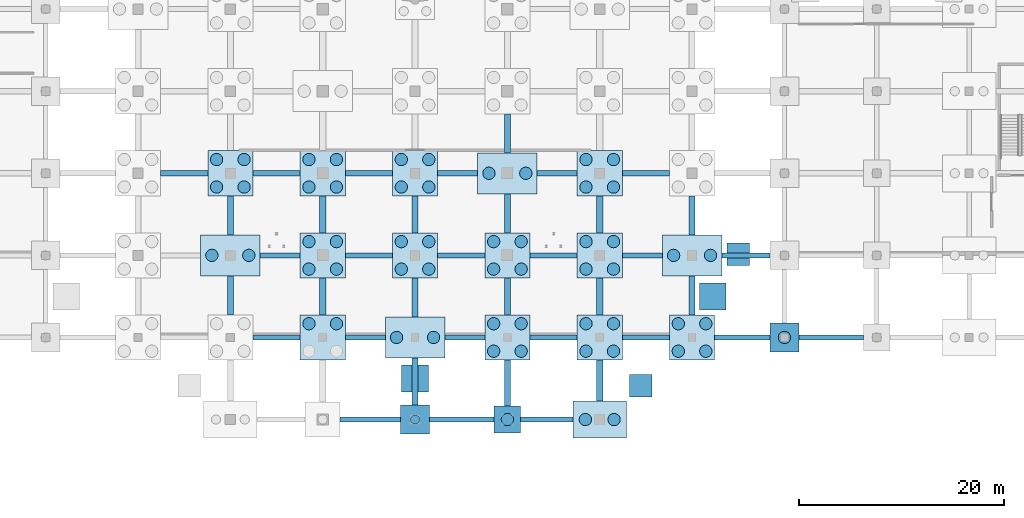
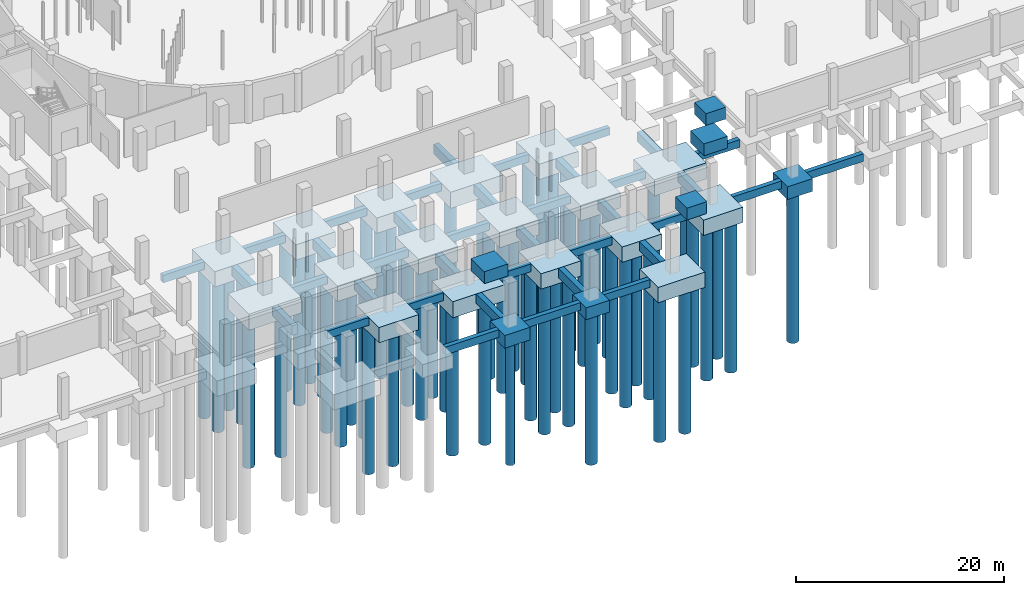
# One storey, part 3 of 40: 62 footings, 59 piles.
"""IFC4 building model written with IfcOpenShell, lengths in metres."""

from ifc_helpers import new_model, si_unit, direction, frame, origin, origin_2d, place, context, subcontext, project, spatial, rectangle, circle, extrude, material, layer, layer_set, material_profile, profile_set, type_object, element, save


model = new_model("IFC4")

# Units and contexts
model_context = context("Model", 3, precision=1e-05, world=origin(), true_north=direction((0.0, 1.0)))
body_context = subcontext(model_context, "Body", "Model", "MODEL_VIEW")
ifc_project = project(units=[si_unit("LENGTHUNIT", "METRE"), si_unit("AREAUNIT", "SQUARE_METRE"), si_unit("VOLUMEUNIT", "CUBIC_METRE"), si_unit("PLANEANGLEUNIT", "RADIAN"), si_unit("MASSUNIT", "GRAM", prefix="KILO")], contexts=[model_context])

# Site, building, storey
site_placement = place(None, origin())
site = spatial("IfcSite", under=ifc_project, at=site_placement, CompositionType="ELEMENT")
building_placement = place(site_placement, origin())
building = spatial("IfcBuilding", under=site, at=building_placement, Name="Marnock Terrace Opera House", CompositionType="ELEMENT")
storey_placement = place(building_placement, frame((0.0, 0.0, -4.800048828125)))
storey = spatial("IfcBuildingStorey", under=building, at=storey_placement, Name="B1", CompositionType="ELEMENT", Elevation=-4.800048828125)

# Footings
ifc_material = material(Name="Concrete N40 (f'c = 40 MPa)", Category="concrete")
ifc_layer_1 = layer(ifc_material, 1.39990234375)
ifc_layer_set_1 = layer_set([ifc_layer_1], Name="Concrete N40 (f'c = 40 MPa)")
footing_type_1 = type_object("IfcFootingType", Name="FT-CAP-2600", PredefinedType="PILE_CAP", material=ifc_layer_set_1)
footing_1_placement = place(storey_placement, frame((91.0, 0.0, -1.7998046875), z_axis=(0.0, 0.0, 1.0), x_axis=(1.0, 0.0, 0.0)))
element("IfcFooting", 1, at=footing_1_placement, inside=storey, type_object=footing_type_1, Name="Pile cap FT-CAP-116", PredefinedType="PILE_CAP", context=body_context, shape_type="SweptSolid", body=[
    extrude(rectangle(XDim=2.60009765625, YDim=2.60009765625, at=origin_2d()), origin(), (0.0, 0.0, 1.0), 1.39990234375),
])
ifc_layer_2 = layer(ifc_material, 1.5)
ifc_layer_set_2 = layer_set([ifc_layer_2], Name="Concrete N40 (f'c = 40 MPa)")
footing_type_2 = type_object("IfcFootingType", Name="FT-CAP-2800", PredefinedType="PILE_CAP", material=ifc_layer_set_2)
for number, where, z_axis, x_axis, name in (
    (2, (82.0, 0.0, -1.89990234375), (0.0, 0.0, 1.0), (1.0, 0.0, 0.0), "Pile cap FT-CAP-110"),
    (3, (118.0, 8.0, -1.89990234375), (0.0, 0.0, 1.0), (1.0, 0.0, 0.0), "Pile cap FT-CAP-149"),
):
    element("IfcFooting", number, at=place(storey_placement, frame(where, z_axis=z_axis, x_axis=x_axis)), inside=storey, type_object=footing_type_2, Name=name, PredefinedType="PILE_CAP", context=body_context, shape_type="SweptSolid", body=[
        extrude(rectangle(XDim=2.800048828125, YDim=2.800048828125, at=origin_2d()), origin(), (0.0, 0.0, 1.0), 1.5),
    ])
ifc_layer_3 = layer(ifc_material, 1.800048828125)
ifc_layer_set_3 = layer_set([ifc_layer_3], Name="Concrete N40 (f'c = 40 MPa)")
footing_type_3 = type_object("IfcFootingType", Name="FT-CAP-4400", PredefinedType="PILE_CAP", material=ifc_layer_set_3)
for number, where, z_axis, x_axis, name in (
    (4, (64.0, 24.0, -2.2001953125), (0.0, 0.0, 1.0), (1.0, 0.0, 0.0), "Pile cap FT-CAP-093"),
    (5, (73.0, 8.0, -2.2001953125), (0.0, 0.0, 1.0), (1.0, 0.0, 0.0), "Pile cap FT-CAP-104"),
    (6, (73.0, 16.0, -2.2001953125), (0.0, 0.0, 1.0), (1.0, 0.0, 0.0), "Pile cap FT-CAP-105"),
    (7, (73.0, 24.0, -2.2001953125), (0.0, 0.0, 1.0), (1.0, 0.0, 0.0), "Pile cap FT-CAP-106"),
    (8, (82.0, 16.0, -2.2001953125), (0.0, 0.0, 1.0), (1.0, 0.0, 0.0), "Pile cap FT-CAP-112"),
    (9, (82.0, 24.0, -2.2001953125), (0.0, 0.0, 1.0), (1.0, 0.0, 0.0), "Pile cap FT-CAP-113"),
    (10, (91.0, 8.0, -2.2001953125), (0.0, 0.0, 1.0), (1.0, 0.0, 0.0), "Pile cap FT-CAP-117"),
    (11, (91.0, 16.0, -2.2001953125), (0.0, 0.0, 1.0), (1.0, 0.0, 0.0), "Pile cap FT-CAP-118"),
    (12, (100.0, 8.0, -2.2001953125), (0.0, 0.0, 1.0), (1.0, 0.0, 0.0), "Pile cap FT-CAP-124"),
    (13, (100.0, 16.0, -2.2001953125), (0.0, 0.0, 1.0), (1.0, 0.0, 0.0), "Pile cap FT-CAP-125"),
    (14, (100.0, 24.0, -2.2001953125), (0.0, 0.0, 1.0), (1.0, 0.0, 0.0), "Pile cap FT-CAP-126"),
    (15, (109.0, 8.0, -2.2001953125), (0.0, 0.0, 1.0), (1.0, 0.0, 0.0), "Pile cap FT-CAP-136"),
):
    element("IfcFooting", number, at=place(storey_placement, frame(where, z_axis=z_axis, x_axis=x_axis)), inside=storey, type_object=footing_type_3, Name=name, PredefinedType="PILE_CAP", context=body_context, shape_type="SweptSolid", body=[
        extrude(rectangle(XDim=4.39990234375, YDim=4.39990234375, at=origin_2d()), origin(), (0.0, 0.0, 1.0), 1.800048828125),
    ])
ifc_layer_4 = layer(ifc_material, 1.800048828125)
ifc_layer_set_4 = layer_set([ifc_layer_4], Name="Concrete N40 (f'c = 40 MPa)")
footing_type_4 = type_object("IfcFootingType", Name="FT-CAP-5200", PredefinedType="PILE_CAP", material=ifc_layer_set_4)
footing_2_placement = place(storey_placement, frame((100.0, 0.0, -2.2001953125), z_axis=(0.0, 0.0, 1.0), x_axis=(1.0, 0.0, 0.0)))
element("IfcFooting", 16, at=footing_2_placement, inside=storey, type_object=footing_type_4, Name="Pile cap FT-CAP-123", PredefinedType="PILE_CAP", context=body_context, shape_type="SweptSolid", body=[
    extrude(rectangle(XDim=5.199951171875, YDim=3.60009765625, at=origin_2d()), origin(), (0.0, 0.0, 1.0), 1.800048828125),
])
ifc_layer_5 = layer(ifc_material, 1.89990234375)
ifc_layer_set_5 = layer_set([ifc_layer_5], Name="Concrete N40 (f'c = 40 MPa)")
footing_type_5 = type_object("IfcFootingType", Name="FT-CAP-5800", PredefinedType="PILE_CAP", material=ifc_layer_set_5)
for number, where, z_axis, x_axis, name in (
    (17, (64.0, 16.0, -2.2998046875), (0.0, 0.0, 1.0), (1.0, 0.0, 0.0), "Pile cap FT-CAP-092"),
    (18, (82.0, 8.0, -2.2998046875), (0.0, 0.0, 1.0), (1.0, 0.0, 0.0), "Pile cap FT-CAP-111"),
    (19, (91.0, 24.0, -2.2998046875), (0.0, 0.0, 1.0), (1.0, 0.0, 0.0), "Pile cap FT-CAP-119"),
    (20, (109.0, 16.0, -2.2998046875), (0.0, 0.0, 1.0), (1.0, 0.0, 0.0), "Pile cap FT-CAP-137"),
):
    element("IfcFooting", number, at=place(storey_placement, frame(where, z_axis=z_axis, x_axis=x_axis)), inside=storey, type_object=footing_type_5, Name=name, PredefinedType="PILE_CAP", context=body_context, shape_type="SweptSolid", body=[
        extrude(rectangle(XDim=5.800048828125, YDim=4.0, at=origin_2d()), origin(), (0.0, 0.0, 1.0), 1.89990234375),
    ])
ifc_material_profile_1 = material_profile(ifc_material, rectangle(XDim=0.5, YDim=0.89990234375, at=origin_2d()))
ifc_profile_set_1 = profile_set([ifc_material_profile_1], Name="Concrete N40 (f'c = 40 MPa)")
footing_type_6 = type_object("IfcFootingType", Name="FT-GB-500", PredefinedType="FOOTING_BEAM", material=ifc_profile_set_1)
footing_3_placement = place(storey_placement, frame((74.699951171875, 0.0, -0.849853515625), z_axis=(1.0, 0.0, 0.0), x_axis=(0.0, 1.0, 0.0)))
element("IfcFooting", 21, at=footing_3_placement, inside=storey, type_object=footing_type_6, Name="Ground tie beam X-194", PredefinedType="FOOTING_BEAM", context=body_context, shape_type="SweptSolid", body=[
    extrude(rectangle(XDim=0.5, YDim=0.89990234375, at=origin_2d()), origin(), (0.0, 0.0, 1.0), 5.900146484375),
])
footing_4_placement = place(storey_placement, frame((83.39990234375, 0.0, -0.849853515625), z_axis=(1.0, 0.0, 0.0), x_axis=(0.0, 1.0, 0.0)))
element("IfcFooting", 22, at=footing_4_placement, inside=storey, type_object=footing_type_6, Name="Ground tie beam X-195", PredefinedType="FOOTING_BEAM", context=body_context, shape_type="SweptSolid", body=[
    extrude(rectangle(XDim=0.5, YDim=0.89990234375, at=origin_2d()), origin(), (0.0, 0.0, 1.0), 6.300048828125),
])
footing_5_placement = place(storey_placement, frame((92.300048828125, 0.0, -0.849853515625), z_axis=(1.0, 0.0, 0.0), x_axis=(0.0, 1.0, 0.0)))
element("IfcFooting", 23, at=footing_5_placement, inside=storey, type_object=footing_type_6, Name="Ground tie beam X-196", PredefinedType="FOOTING_BEAM", context=body_context, shape_type="SweptSolid", body=[
    extrude(rectangle(XDim=0.5, YDim=0.89990234375, at=origin_2d()), origin(), (0.0, 0.0, 1.0), 5.099853515625),
])
footing_6_placement = place(storey_placement, frame((66.199951171875, 8.0, -0.849853515625), z_axis=(1.0, 0.0, 0.0), x_axis=(0.0, 1.0, 0.0)))
element("IfcFooting", 24, at=footing_6_placement, inside=storey, type_object=footing_type_6, Name="Ground tie beam X-204", PredefinedType="FOOTING_BEAM", context=body_context, shape_type="SweptSolid", body=[
    extrude(rectangle(XDim=0.5, YDim=0.89990234375, at=origin_2d()), origin(), (0.0, 0.0, 1.0), 4.60009765625),
])
for number, where, z_axis, x_axis, name in (
    (25, (75.199951171875, 8.0, -0.849853515625), (1.0, 0.0, 0.0), (0.0, 1.0, 0.0), "Ground tie beam X-205"),
    (26, (84.89990234375, 8.0, -0.849853515625), (1.0, 0.0, 0.0), (0.0, 1.0, 0.0), "Ground tie beam X-206"),
):
    element("IfcFooting", number, at=place(storey_placement, frame(where, z_axis=z_axis, x_axis=x_axis)), inside=storey, type_object=footing_type_6, Name=name, PredefinedType="FOOTING_BEAM", context=body_context, shape_type="SweptSolid", body=[
        extrude(rectangle(XDim=0.5, YDim=0.89990234375, at=origin_2d()), origin(), (0.0, 0.0, 1.0), 3.900146484375),
    ])
for number, where, z_axis, x_axis, name in (
    (27, (93.199951171875, 8.0, -0.849853515625), (1.0, 0.0, 0.0), (0.0, 1.0, 0.0), "Ground tie beam X-207"),
    (28, (102.199951171875, 8.0, -0.849853515625), (1.0, 0.0, 0.0), (0.0, 1.0, 0.0), "Ground tie beam X-208"),
):
    element("IfcFooting", number, at=place(storey_placement, frame(where, z_axis=z_axis, x_axis=x_axis)), inside=storey, type_object=footing_type_6, Name=name, PredefinedType="FOOTING_BEAM", context=body_context, shape_type="SweptSolid", body=[
        extrude(rectangle(XDim=0.5, YDim=0.89990234375, at=origin_2d()), origin(), (0.0, 0.0, 1.0), 4.60009765625),
    ])
footing_7_placement = place(storey_placement, frame((111.199951171875, 8.0, -0.849853515625), z_axis=(1.0, 0.0, 0.0), x_axis=(0.0, 1.0, 0.0)))
element("IfcFooting", 29, at=footing_7_placement, inside=storey, type_object=footing_type_6, Name="Ground tie beam X-209", PredefinedType="FOOTING_BEAM", context=body_context, shape_type="SweptSolid", body=[
    extrude(rectangle(XDim=0.5, YDim=0.89990234375, at=origin_2d()), origin(), (0.0, 0.0, 1.0), 5.400146484375),
])
footing_8_placement = place(storey_placement, frame((119.39990234375, 8.0, -0.849853515625), z_axis=(1.0, 0.0, 0.0), x_axis=(0.0, 1.0, 0.0)))
element("IfcFooting", 30, at=footing_8_placement, inside=storey, type_object=footing_type_6, Name="Ground tie beam X-210", PredefinedType="FOOTING_BEAM", context=body_context, shape_type="SweptSolid", body=[
    extrude(rectangle(XDim=0.5, YDim=0.89990234375, at=origin_2d()), origin(), (0.0, 0.0, 1.0), 6.300048828125),
])
footing_9_placement = place(storey_placement, frame((66.89990234375, 16.0, -0.849853515625), z_axis=(1.0, 0.0, 0.0), x_axis=(0.0, 1.0, 0.0)))
element("IfcFooting", 31, at=footing_9_placement, inside=storey, type_object=footing_type_6, Name="Ground tie beam X-222", PredefinedType="FOOTING_BEAM", context=body_context, shape_type="SweptSolid", body=[
    extrude(rectangle(XDim=0.5, YDim=0.89990234375, at=origin_2d()), origin(), (0.0, 0.0, 1.0), 3.900146484375),
])
for number, where, z_axis, x_axis, name in (
    (32, (75.199951171875, 16.0, -0.849853515625), (1.0, 0.0, 0.0), (0.0, 1.0, 0.0), "Ground tie beam X-223"),
    (33, (84.199951171875, 16.0, -0.849853515625), (1.0, 0.0, 0.0), (0.0, 1.0, 0.0), "Ground tie beam X-224"),
    (34, (93.199951171875, 16.0, -0.849853515625), (1.0, 0.0, 0.0), (0.0, 1.0, 0.0), "Ground tie beam X-225"),
):
    element("IfcFooting", number, at=place(storey_placement, frame(where, z_axis=z_axis, x_axis=x_axis)), inside=storey, type_object=footing_type_6, Name=name, PredefinedType="FOOTING_BEAM", context=body_context, shape_type="SweptSolid", body=[
        extrude(rectangle(XDim=0.5, YDim=0.89990234375, at=origin_2d()), origin(), (0.0, 0.0, 1.0), 4.60009765625),
    ])
footing_10_placement = place(storey_placement, frame((102.199951171875, 16.0, -0.849853515625), z_axis=(1.0, 0.0, 0.0), x_axis=(0.0, 1.0, 0.0)))
element("IfcFooting", 35, at=footing_10_placement, inside=storey, type_object=footing_type_6, Name="Ground tie beam X-226", PredefinedType="FOOTING_BEAM", context=body_context, shape_type="SweptSolid", body=[
    extrude(rectangle(XDim=0.5, YDim=0.89990234375, at=origin_2d()), origin(), (0.0, 0.0, 1.0), 3.900146484375),
])
footing_11_placement = place(storey_placement, frame((111.89990234375, 16.0, -0.849853515625), z_axis=(1.0, 0.0, 0.0), x_axis=(0.0, 1.0, 0.0)))
element("IfcFooting", 36, at=footing_11_placement, inside=storey, type_object=footing_type_6, Name="Ground tie beam X-227", PredefinedType="FOOTING_BEAM", context=body_context, shape_type="SweptSolid", body=[
    extrude(rectangle(XDim=0.5, YDim=0.89990234375, at=origin_2d()), origin(), (0.0, 0.0, 1.0), 4.7001953125),
])
for number, where, z_axis, x_axis, name in (
    (37, (57.199951171875, 24.0, -0.849853515625), (1.0, 0.0, 0.0), (0.0, 1.0, 0.0), "Ground tie beam X-239"),
    (38, (66.199951171875, 24.0, -0.849853515625), (1.0, 0.0, 0.0), (0.0, 1.0, 0.0), "Ground tie beam X-240"),
    (39, (75.199951171875, 24.0, -0.849853515625), (1.0, 0.0, 0.0), (0.0, 1.0, 0.0), "Ground tie beam X-241"),
):
    element("IfcFooting", number, at=place(storey_placement, frame(where, z_axis=z_axis, x_axis=x_axis)), inside=storey, type_object=footing_type_6, Name=name, PredefinedType="FOOTING_BEAM", context=body_context, shape_type="SweptSolid", body=[
        extrude(rectangle(XDim=0.5, YDim=0.89990234375, at=origin_2d()), origin(), (0.0, 0.0, 1.0), 4.60009765625),
    ])
for number, where, z_axis, x_axis, name in (
    (40, (84.199951171875, 24.0, -0.849853515625), (1.0, 0.0, 0.0), (0.0, 1.0, 0.0), "Ground tie beam X-242"),
    (41, (93.89990234375, 24.0, -0.849853515625), (1.0, 0.0, 0.0), (0.0, 1.0, 0.0), "Ground tie beam X-243"),
):
    element("IfcFooting", number, at=place(storey_placement, frame(where, z_axis=z_axis, x_axis=x_axis)), inside=storey, type_object=footing_type_6, Name=name, PredefinedType="FOOTING_BEAM", context=body_context, shape_type="SweptSolid", body=[
        extrude(rectangle(XDim=0.5, YDim=0.89990234375, at=origin_2d()), origin(), (0.0, 0.0, 1.0), 3.900146484375),
    ])
footing_12_placement = place(storey_placement, frame((102.199951171875, 24.0, -0.849853515625), z_axis=(1.0, 0.0, 0.0), x_axis=(0.0, 1.0, 0.0)))
element("IfcFooting", 42, at=footing_12_placement, inside=storey, type_object=footing_type_6, Name="Ground tie beam X-244", PredefinedType="FOOTING_BEAM", context=body_context, shape_type="SweptSolid", body=[
    extrude(rectangle(XDim=0.5, YDim=0.89990234375, at=origin_2d()), origin(), (0.0, 0.0, 1.0), 4.60009765625),
])
ifc_material_profile_2 = material_profile(ifc_material, rectangle(XDim=0.60009765625, YDim=1.10009765625, at=origin_2d()))
ifc_profile_set_2 = profile_set([ifc_material_profile_2], Name="Concrete N40 (f'c = 40 MPa)")
footing_type_7 = type_object("IfcFootingType", Name="FT-GB-600", PredefinedType="FOOTING_BEAM", material=ifc_profile_set_2)
for number, where, z_axis, x_axis, name in (
    (43, (64.0, 10.199951171875, -0.949951171875), (0.0, 1.0, 0.0), (-1.0, 0.0, 0.0), "Ground tie beam Y-82"),
    (44, (64.0, 18.0, -0.949951171875), (0.0, 1.0, 0.0), (-1.0, 0.0, 0.0), "Ground tie beam Y-83"),
):
    element("IfcFooting", number, at=place(storey_placement, frame(where, z_axis=z_axis, x_axis=x_axis)), inside=storey, type_object=footing_type_7, Name=name, PredefinedType="FOOTING_BEAM", context=body_context, shape_type="SweptSolid", body=[
        extrude(rectangle(XDim=0.60009765625, YDim=1.10009765625, at=origin_2d()), origin(), (0.0, 0.0, 1.0), 3.800048828125),
    ])
for number, where, z_axis, x_axis, name in (
    (45, (73.0, 10.199951171875, -0.949951171875), (0.0, 1.0, 0.0), (-1.0, 0.0, 0.0), "Ground tie beam Y-93"),
    (46, (73.0, 18.199951171875, -0.949951171875), (0.0, 1.0, 0.0), (-1.0, 0.0, 0.0), "Ground tie beam Y-94"),
):
    element("IfcFooting", number, at=place(storey_placement, frame(where, z_axis=z_axis, x_axis=x_axis)), inside=storey, type_object=footing_type_7, Name=name, PredefinedType="FOOTING_BEAM", context=body_context, shape_type="SweptSolid", body=[
        extrude(rectangle(XDim=0.60009765625, YDim=1.10009765625, at=origin_2d()), origin(), (0.0, 0.0, 1.0), 3.60009765625),
    ])
footing_13_placement = place(storey_placement, frame((82.0, 1.39990234375, -0.949951171875), z_axis=(0.0, 1.0, 0.0), x_axis=(-1.0, 0.0, 0.0)))
element("IfcFooting", 47, at=footing_13_placement, inside=storey, type_object=footing_type_7, Name="Ground tie beam Y-97", PredefinedType="FOOTING_BEAM", context=body_context, shape_type="SweptSolid", body=[
    extrude(rectangle(XDim=0.60009765625, YDim=1.10009765625, at=origin_2d()), origin(), (0.0, 0.0, 1.0), 4.60009765625),
])
footing_14_placement = place(storey_placement, frame((82.0, 10.0, -0.949951171875), z_axis=(0.0, 1.0, 0.0), x_axis=(-1.0, 0.0, 0.0)))
element("IfcFooting", 48, at=footing_14_placement, inside=storey, type_object=footing_type_7, Name="Ground tie beam Y-98", PredefinedType="FOOTING_BEAM", context=body_context, shape_type="SweptSolid", body=[
    extrude(rectangle(XDim=0.60009765625, YDim=1.10009765625, at=origin_2d()), origin(), (0.0, 0.0, 1.0), 3.800048828125),
])
footing_15_placement = place(storey_placement, frame((82.0, 18.199951171875, -0.949951171875), z_axis=(0.0, 1.0, 0.0), x_axis=(-1.0, 0.0, 0.0)))
element("IfcFooting", 49, at=footing_15_placement, inside=storey, type_object=footing_type_7, Name="Ground tie beam Y-99", PredefinedType="FOOTING_BEAM", context=body_context, shape_type="SweptSolid", body=[
    extrude(rectangle(XDim=0.60009765625, YDim=1.10009765625, at=origin_2d()), origin(), (0.0, 0.0, 1.0), 3.60009765625),
])
footing_16_placement = place(storey_placement, frame((91.0, 1.300048828125, -0.949951171875), z_axis=(0.0, 1.0, 0.0), x_axis=(-1.0, 0.0, 0.0)))
element("IfcFooting", 50, at=footing_16_placement, inside=storey, type_object=footing_type_7, Name="Ground tie beam Y-102", PredefinedType="FOOTING_BEAM", context=body_context, shape_type="SweptSolid", body=[
    extrude(rectangle(XDim=0.60009765625, YDim=1.10009765625, at=origin_2d()), origin(), (0.0, 0.0, 1.0), 4.5),
])
footing_17_placement = place(storey_placement, frame((91.0, 10.199951171875, -0.949951171875), z_axis=(0.0, 1.0, 0.0), x_axis=(-1.0, 0.0, 0.0)))
element("IfcFooting", 51, at=footing_17_placement, inside=storey, type_object=footing_type_7, Name="Ground tie beam Y-103", PredefinedType="FOOTING_BEAM", context=body_context, shape_type="SweptSolid", body=[
    extrude(rectangle(XDim=0.60009765625, YDim=1.10009765625, at=origin_2d()), origin(), (0.0, 0.0, 1.0), 3.60009765625),
])
for number, where, z_axis, x_axis, name in (
    (52, (91.0, 18.199951171875, -0.949951171875), (0.0, 1.0, 0.0), (-1.0, 0.0, 0.0), "Ground tie beam Y-104"),
    (53, (91.0, 26.0, -0.949951171875), (0.0, 1.0, 0.0), (-1.0, 0.0, 0.0), "Ground tie beam Y-105"),
):
    element("IfcFooting", number, at=place(storey_placement, frame(where, z_axis=z_axis, x_axis=x_axis)), inside=storey, type_object=footing_type_7, Name=name, PredefinedType="FOOTING_BEAM", context=body_context, shape_type="SweptSolid", body=[
        extrude(rectangle(XDim=0.60009765625, YDim=1.10009765625, at=origin_2d()), origin(), (0.0, 0.0, 1.0), 3.800048828125),
    ])
footing_18_placement = place(storey_placement, frame((100.0, 1.800048828125, -0.949951171875), z_axis=(0.0, 1.0, 0.0), x_axis=(-1.0, 0.0, 0.0)))
element("IfcFooting", 54, at=footing_18_placement, inside=storey, type_object=footing_type_7, Name="Ground tie beam Y-107", PredefinedType="FOOTING_BEAM", context=body_context, shape_type="SweptSolid", body=[
    extrude(rectangle(XDim=0.60009765625, YDim=1.10009765625, at=origin_2d()), origin(), (0.0, 0.0, 1.0), 4.0),
])
for number, where, z_axis, x_axis, name in (
    (55, (100.0, 10.199951171875, -0.949951171875), (0.0, 1.0, 0.0), (-1.0, 0.0, 0.0), "Ground tie beam Y-108"),
    (56, (100.0, 18.199951171875, -0.949951171875), (0.0, 1.0, 0.0), (-1.0, 0.0, 0.0), "Ground tie beam Y-109"),
):
    element("IfcFooting", number, at=place(storey_placement, frame(where, z_axis=z_axis, x_axis=x_axis)), inside=storey, type_object=footing_type_7, Name=name, PredefinedType="FOOTING_BEAM", context=body_context, shape_type="SweptSolid", body=[
        extrude(rectangle(XDim=0.60009765625, YDim=1.10009765625, at=origin_2d()), origin(), (0.0, 0.0, 1.0), 3.60009765625),
    ])
for number, where, z_axis, x_axis, name in (
    (57, (109.0, 10.199951171875, -0.949951171875), (0.0, 1.0, 0.0), (-1.0, 0.0, 0.0), "Ground tie beam Y-118"),
    (58, (109.0, 18.0, -0.949951171875), (0.0, 1.0, 0.0), (-1.0, 0.0, 0.0), "Ground tie beam Y-119"),
):
    element("IfcFooting", number, at=place(storey_placement, frame(where, z_axis=z_axis, x_axis=x_axis)), inside=storey, type_object=footing_type_7, Name=name, PredefinedType="FOOTING_BEAM", context=body_context, shape_type="SweptSolid", body=[
        extrude(rectangle(XDim=0.60009765625, YDim=1.10009765625, at=origin_2d()), origin(), (0.0, 0.0, 1.0), 3.800048828125),
    ])
ifc_layer_6 = layer(ifc_material, 1.39990234375)
ifc_layer_set_6 = layer_set([ifc_layer_6], Name="Concrete N40 (f'c = 40 MPa)")
footing_type_8 = type_object("IfcFootingType", Name="FT-PAD-2200", PredefinedType="PAD_FOOTING", material=ifc_layer_set_6)
for number, where, z_axis, x_axis, name in (
    (59, (113.5, 16.10009765625, 3.16015625), (0.0, 0.0, 1.0), (1.0, 0.0, 0.0), "Grade ramp foundation RMP-PASS-01"),
    (60, (104.0, 3.300048828125, 3.16015625), (0.0, 0.0, 1.0), (1.0, 0.0, 0.0), "Grade ramp foundation RMP-FORE-E"),
):
    element("IfcFooting", number, at=place(storey_placement, frame(where, z_axis=z_axis, x_axis=x_axis)), inside=storey, type_object=footing_type_8, Name=name, PredefinedType="PAD_FOOTING", context=body_context, shape_type="SweptSolid", body=[
        extrude(rectangle(XDim=2.199951171875, YDim=2.199951171875, at=origin_2d()), origin(), (0.0, 0.0, 1.0), 1.39990234375),
    ])
ifc_layer_7 = layer(ifc_material, 1.39990234375)
ifc_layer_set_7 = layer_set([ifc_layer_7], Name="Concrete N40 (f'c = 40 MPa)")
footing_type_9 = type_object("IfcFootingType", Name="FT-PAD-2600", PredefinedType="PAD_FOOTING", material=ifc_layer_set_7)
for number, where, z_axis, x_axis, name in (
    (61, (82.0, 4.0, 3.16015625), (0.0, 0.0, 1.0), (1.0, 0.0, 0.0), "Upper-terrace grade pad footing FT-APR-S3"),
    (62, (111.0, 12.0, 3.16015625), (0.0, 0.0, 1.0), (1.0, 0.0, 0.0), "Upper-terrace grade pad footing FT-APR-PS1"),
):
    element("IfcFooting", number, at=place(storey_placement, frame(where, z_axis=z_axis, x_axis=x_axis)), inside=storey, type_object=footing_type_9, Name=name, PredefinedType="PAD_FOOTING", context=body_context, shape_type="SweptSolid", body=[
        extrude(rectangle(XDim=2.60009765625, YDim=2.60009765625, at=origin_2d()), origin(), (0.0, 0.0, 1.0), 1.39990234375),
    ])

# Piles
ifc_material_profile_3 = material_profile(ifc_material, circle(Radius=0.6005859375, at=origin_2d()))
ifc_profile_set_3 = profile_set([ifc_material_profile_3], Name="Concrete N40 (f'c = 40 MPa)")
pile_type_1 = type_object("IfcPileType", Name="PILE-CFA-1200", PredefinedType="BORED", material=ifc_profile_set_3)
for number, where, z_axis, x_axis, name in (
    (63, (62.199951171875, 16.0, -2.199951171875), (0.0, 0.0, -1.0), (1.0, 0.0, 0.0), "Bored CFA pile 92.1"),
    (64, (65.800048828125, 16.0, -2.199951171875), (0.0, 0.0, -1.0), (1.0, 0.0, 0.0), "Bored CFA pile 92.2"),
):
    element("IfcPile", number, at=place(storey_placement, frame(where, z_axis=z_axis, x_axis=x_axis)), inside=storey, type_object=pile_type_1, Name=name, PredefinedType="BORED", context=body_context, shape_type="SweptSolid", body=[
        extrude(circle(Radius=0.6005859375, at=origin_2d()), origin(), (0.0, 0.0, 1.0), 17.5),
    ])
for number, where, z_axis, x_axis, name in (
    (65, (62.659912109375, 22.659912109375, -2.099853515625), (0.0, 0.0, -1.0), (1.0, 0.0, 0.0), "Bored CFA pile 93.1"),
    (66, (65.340087890625, 22.659912109375, -2.099853515625), (0.0, 0.0, -1.0), (1.0, 0.0, 0.0), "Bored CFA pile 93.2"),
    (67, (62.659912109375, 25.340087890625, -2.099853515625), (0.0, 0.0, -1.0), (1.0, 0.0, 0.0), "Bored CFA pile 93.3"),
    (68, (65.340087890625, 25.340087890625, -2.099853515625), (0.0, 0.0, -1.0), (1.0, 0.0, 0.0), "Bored CFA pile 93.4"),
    (69, (71.659912109375, 9.340087890625, -2.099853515625), (0.0, 0.0, -1.0), (1.0, 0.0, 0.0), "Bored CFA pile 104.3"),
    (70, (74.340087890625, 9.340087890625, -2.099853515625), (0.0, 0.0, -1.0), (1.0, 0.0, 0.0), "Bored CFA pile 104.4"),
    (71, (71.659912109375, 14.659912109375, -2.099853515625), (0.0, 0.0, -1.0), (1.0, 0.0, 0.0), "Bored CFA pile 105.1"),
    (72, (74.340087890625, 14.659912109375, -2.099853515625), (0.0, 0.0, -1.0), (1.0, 0.0, 0.0), "Bored CFA pile 105.2"),
    (73, (71.659912109375, 17.340087890625, -2.099853515625), (0.0, 0.0, -1.0), (1.0, 0.0, 0.0), "Bored CFA pile 105.3"),
    (74, (74.340087890625, 17.340087890625, -2.099853515625), (0.0, 0.0, -1.0), (1.0, 0.0, 0.0), "Bored CFA pile 105.4"),
    (75, (71.659912109375, 22.659912109375, -2.099853515625), (0.0, 0.0, -1.0), (1.0, 0.0, 0.0), "Bored CFA pile 106.1"),
    (76, (74.340087890625, 22.659912109375, -2.099853515625), (0.0, 0.0, -1.0), (1.0, 0.0, 0.0), "Bored CFA pile 106.2"),
    (77, (71.659912109375, 25.340087890625, -2.099853515625), (0.0, 0.0, -1.0), (1.0, 0.0, 0.0), "Bored CFA pile 106.3"),
    (78, (74.340087890625, 25.340087890625, -2.099853515625), (0.0, 0.0, -1.0), (1.0, 0.0, 0.0), "Bored CFA pile 106.4"),
):
    element("IfcPile", number, at=place(storey_placement, frame(where, z_axis=z_axis, x_axis=x_axis)), inside=storey, type_object=pile_type_1, Name=name, PredefinedType="BORED", context=body_context, shape_type="SweptSolid", body=[
        extrude(circle(Radius=0.6005859375, at=origin_2d()), origin(), (0.0, 0.0, 1.0), 17.60009765625),
    ])
for number, where, z_axis, x_axis, name in (
    (79, (80.199951171875, 8.0, -2.199951171875), (0.0, 0.0, -1.0), (1.0, 0.0, 0.0), "Bored CFA pile 111.1"),
    (80, (83.800048828125, 8.0, -2.199951171875), (0.0, 0.0, -1.0), (1.0, 0.0, 0.0), "Bored CFA pile 111.2"),
):
    element("IfcPile", number, at=place(storey_placement, frame(where, z_axis=z_axis, x_axis=x_axis)), inside=storey, type_object=pile_type_1, Name=name, PredefinedType="BORED", context=body_context, shape_type="SweptSolid", body=[
        extrude(circle(Radius=0.6005859375, at=origin_2d()), origin(), (0.0, 0.0, 1.0), 17.5),
    ])
for number, where, z_axis, x_axis, name in (
    (81, (80.659912109375, 14.659912109375, -2.099853515625), (0.0, 0.0, -1.0), (1.0, 0.0, 0.0), "Bored CFA pile 112.1"),
    (82, (83.340087890625, 14.659912109375, -2.099853515625), (0.0, 0.0, -1.0), (1.0, 0.0, 0.0), "Bored CFA pile 112.2"),
    (83, (80.659912109375, 17.340087890625, -2.099853515625), (0.0, 0.0, -1.0), (1.0, 0.0, 0.0), "Bored CFA pile 112.3"),
    (84, (83.340087890625, 17.340087890625, -2.099853515625), (0.0, 0.0, -1.0), (1.0, 0.0, 0.0), "Bored CFA pile 112.4"),
    (85, (80.659912109375, 22.659912109375, -2.099853515625), (0.0, 0.0, -1.0), (1.0, 0.0, 0.0), "Bored CFA pile 113.1"),
    (86, (83.340087890625, 22.659912109375, -2.099853515625), (0.0, 0.0, -1.0), (1.0, 0.0, 0.0), "Bored CFA pile 113.2"),
    (87, (80.659912109375, 25.340087890625, -2.099853515625), (0.0, 0.0, -1.0), (1.0, 0.0, 0.0), "Bored CFA pile 113.3"),
    (88, (83.340087890625, 25.340087890625, -2.099853515625), (0.0, 0.0, -1.0), (1.0, 0.0, 0.0), "Bored CFA pile 113.4"),
):
    element("IfcPile", number, at=place(storey_placement, frame(where, z_axis=z_axis, x_axis=x_axis)), inside=storey, type_object=pile_type_1, Name=name, PredefinedType="BORED", context=body_context, shape_type="SweptSolid", body=[
        extrude(circle(Radius=0.6005859375, at=origin_2d()), origin(), (0.0, 0.0, 1.0), 17.60009765625),
    ])
pile_1_placement = place(storey_placement, frame((91.0, 0.0, -1.699951171875), z_axis=(0.0, 0.0, -1.0), x_axis=(1.0, 0.0, 0.0)))
element("IfcPile", 89, at=pile_1_placement, inside=storey, type_object=pile_type_1, Name="Bored CFA pile 116.1", PredefinedType="BORED", context=body_context, shape_type="SweptSolid", body=[
    extrude(circle(Radius=0.6005859375, at=origin_2d()), origin(), (0.0, 0.0, 1.0), 18.0),
])
for number, where, z_axis, x_axis, name in (
    (90, (89.659912109375, 6.659912109375, -2.099853515625), (0.0, 0.0, -1.0), (1.0, 0.0, 0.0), "Bored CFA pile 117.1"),
    (91, (92.340087890625, 6.659912109375, -2.099853515625), (0.0, 0.0, -1.0), (1.0, 0.0, 0.0), "Bored CFA pile 117.2"),
    (92, (89.659912109375, 9.340087890625, -2.099853515625), (0.0, 0.0, -1.0), (1.0, 0.0, 0.0), "Bored CFA pile 117.3"),
    (93, (92.340087890625, 9.340087890625, -2.099853515625), (0.0, 0.0, -1.0), (1.0, 0.0, 0.0), "Bored CFA pile 117.4"),
    (94, (89.659912109375, 14.659912109375, -2.099853515625), (0.0, 0.0, -1.0), (1.0, 0.0, 0.0), "Bored CFA pile 118.1"),
    (95, (92.340087890625, 14.659912109375, -2.099853515625), (0.0, 0.0, -1.0), (1.0, 0.0, 0.0), "Bored CFA pile 118.2"),
    (96, (89.659912109375, 17.340087890625, -2.099853515625), (0.0, 0.0, -1.0), (1.0, 0.0, 0.0), "Bored CFA pile 118.3"),
    (97, (92.340087890625, 17.340087890625, -2.099853515625), (0.0, 0.0, -1.0), (1.0, 0.0, 0.0), "Bored CFA pile 118.4"),
):
    element("IfcPile", number, at=place(storey_placement, frame(where, z_axis=z_axis, x_axis=x_axis)), inside=storey, type_object=pile_type_1, Name=name, PredefinedType="BORED", context=body_context, shape_type="SweptSolid", body=[
        extrude(circle(Radius=0.6005859375, at=origin_2d()), origin(), (0.0, 0.0, 1.0), 17.60009765625),
    ])
for number, where, z_axis, x_axis, name in (
    (98, (89.199951171875, 24.0, -2.199951171875), (0.0, 0.0, -1.0), (1.0, 0.0, 0.0), "Bored CFA pile 119.1"),
    (99, (92.800048828125, 24.0, -2.199951171875), (0.0, 0.0, -1.0), (1.0, 0.0, 0.0), "Bored CFA pile 119.2"),
):
    element("IfcPile", number, at=place(storey_placement, frame(where, z_axis=z_axis, x_axis=x_axis)), inside=storey, type_object=pile_type_1, Name=name, PredefinedType="BORED", context=body_context, shape_type="SweptSolid", body=[
        extrude(circle(Radius=0.6005859375, at=origin_2d()), origin(), (0.0, 0.0, 1.0), 17.5),
    ])
for number, where, z_axis, x_axis, name in (
    (100, (98.60009765625, 0.0, -2.099853515625), (0.0, 0.0, -1.0), (1.0, 0.0, 0.0), "Bored CFA pile 123.1"),
    (101, (101.39990234375, 0.0, -2.099853515625), (0.0, 0.0, -1.0), (1.0, 0.0, 0.0), "Bored CFA pile 123.2"),
    (102, (98.659912109375, 6.659912109375, -2.099853515625), (0.0, 0.0, -1.0), (1.0, 0.0, 0.0), "Bored CFA pile 124.1"),
    (103, (101.340087890625, 6.659912109375, -2.099853515625), (0.0, 0.0, -1.0), (1.0, 0.0, 0.0), "Bored CFA pile 124.2"),
    (104, (98.659912109375, 9.340087890625, -2.099853515625), (0.0, 0.0, -1.0), (1.0, 0.0, 0.0), "Bored CFA pile 124.3"),
    (105, (101.340087890625, 9.340087890625, -2.099853515625), (0.0, 0.0, -1.0), (1.0, 0.0, 0.0), "Bored CFA pile 124.4"),
    (106, (98.659912109375, 14.659912109375, -2.099853515625), (0.0, 0.0, -1.0), (1.0, 0.0, 0.0), "Bored CFA pile 125.1"),
    (107, (101.340087890625, 14.659912109375, -2.099853515625), (0.0, 0.0, -1.0), (1.0, 0.0, 0.0), "Bored CFA pile 125.2"),
    (108, (98.659912109375, 17.340087890625, -2.099853515625), (0.0, 0.0, -1.0), (1.0, 0.0, 0.0), "Bored CFA pile 125.3"),
    (109, (101.340087890625, 17.340087890625, -2.099853515625), (0.0, 0.0, -1.0), (1.0, 0.0, 0.0), "Bored CFA pile 125.4"),
    (110, (98.659912109375, 22.659912109375, -2.099853515625), (0.0, 0.0, -1.0), (1.0, 0.0, 0.0), "Bored CFA pile 126.1"),
    (111, (101.340087890625, 22.659912109375, -2.099853515625), (0.0, 0.0, -1.0), (1.0, 0.0, 0.0), "Bored CFA pile 126.2"),
    (112, (98.659912109375, 25.340087890625, -2.099853515625), (0.0, 0.0, -1.0), (1.0, 0.0, 0.0), "Bored CFA pile 126.3"),
    (113, (101.340087890625, 25.340087890625, -2.099853515625), (0.0, 0.0, -1.0), (1.0, 0.0, 0.0), "Bored CFA pile 126.4"),
    (114, (107.659912109375, 6.659912109375, -2.099853515625), (0.0, 0.0, -1.0), (1.0, 0.0, 0.0), "Bored CFA pile 136.1"),
    (115, (110.340087890625, 6.659912109375, -2.099853515625), (0.0, 0.0, -1.0), (1.0, 0.0, 0.0), "Bored CFA pile 136.2"),
    (116, (107.659912109375, 9.340087890625, -2.099853515625), (0.0, 0.0, -1.0), (1.0, 0.0, 0.0), "Bored CFA pile 136.3"),
    (117, (110.340087890625, 9.340087890625, -2.099853515625), (0.0, 0.0, -1.0), (1.0, 0.0, 0.0), "Bored CFA pile 136.4"),
):
    element("IfcPile", number, at=place(storey_placement, frame(where, z_axis=z_axis, x_axis=x_axis)), inside=storey, type_object=pile_type_1, Name=name, PredefinedType="BORED", context=body_context, shape_type="SweptSolid", body=[
        extrude(circle(Radius=0.6005859375, at=origin_2d()), origin(), (0.0, 0.0, 1.0), 17.60009765625),
    ])
for number, where, z_axis, x_axis, name in (
    (118, (107.199951171875, 16.0, -2.199951171875), (0.0, 0.0, -1.0), (1.0, 0.0, 0.0), "Bored CFA pile 137.1"),
    (119, (110.800048828125, 16.0, -2.199951171875), (0.0, 0.0, -1.0), (1.0, 0.0, 0.0), "Bored CFA pile 137.2"),
):
    element("IfcPile", number, at=place(storey_placement, frame(where, z_axis=z_axis, x_axis=x_axis)), inside=storey, type_object=pile_type_1, Name=name, PredefinedType="BORED", context=body_context, shape_type="SweptSolid", body=[
        extrude(circle(Radius=0.6005859375, at=origin_2d()), origin(), (0.0, 0.0, 1.0), 17.5),
    ])
pile_2_placement = place(storey_placement, frame((118.0, 8.0, -1.800048828125), z_axis=(0.0, 0.0, -1.0), x_axis=(1.0, 0.0, 0.0)))
element("IfcPile", 120, at=pile_2_placement, inside=storey, type_object=pile_type_1, Name="Bored CFA pile 149.1", PredefinedType="BORED", context=body_context, shape_type="SweptSolid", body=[
    extrude(circle(Radius=0.6005859375, at=origin_2d()), origin(), (0.0, 0.0, 1.0), 17.89990234375),
])
ifc_material_profile_4 = material_profile(ifc_material, circle(Radius=0.449951171875, at=origin_2d()))
ifc_profile_set_4 = profile_set([ifc_material_profile_4], Name="Concrete N40 (f'c = 40 MPa)")
pile_type_2 = type_object("IfcPileType", Name="PILE-CFA-900", PredefinedType="BORED", material=ifc_profile_set_4)
pile_3_placement = place(storey_placement, frame((82.0, 0.0, -1.800048828125), z_axis=(0.0, 0.0, -1.0), x_axis=(1.0, 0.0, 0.0)))
element("IfcPile", 121, at=pile_3_placement, inside=storey, type_object=pile_type_2, Name="Bored CFA pile 110.1", PredefinedType="BORED", context=body_context, shape_type="SweptSolid", body=[
    extrude(circle(Radius=0.449951171875, at=origin_2d()), origin(), (0.0, 0.0, 1.0), 14.89990234375),
])

save(model, "model.ifc")
